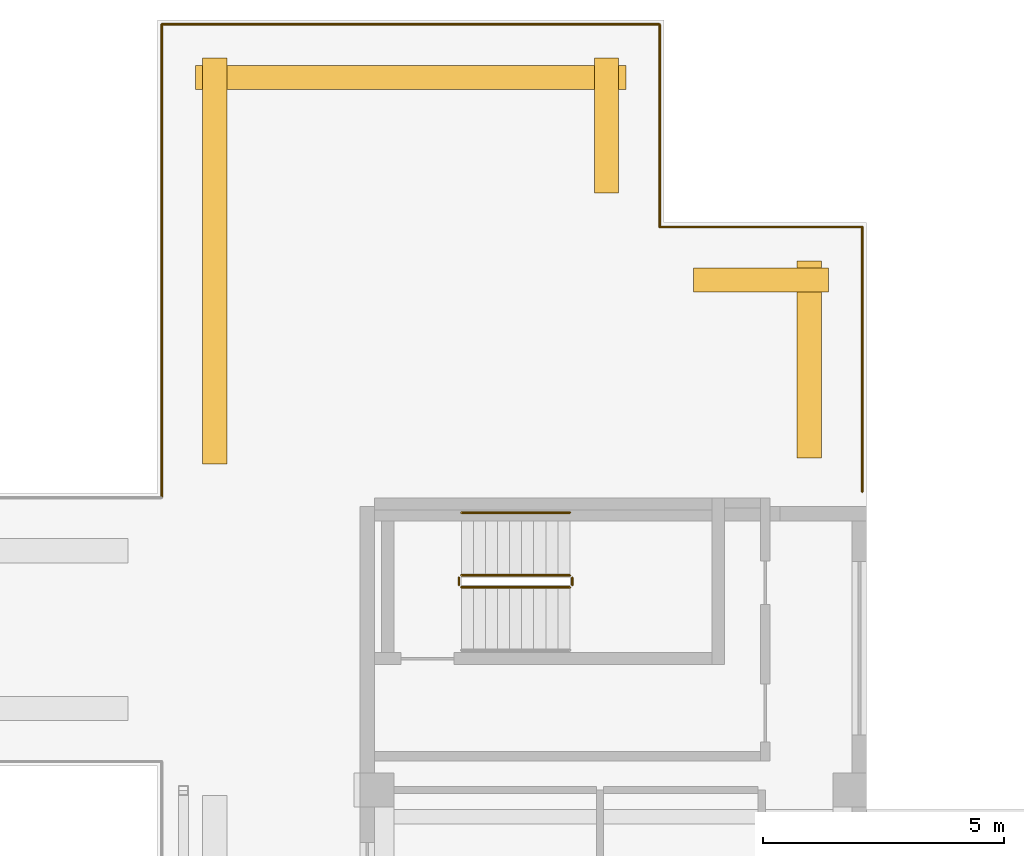
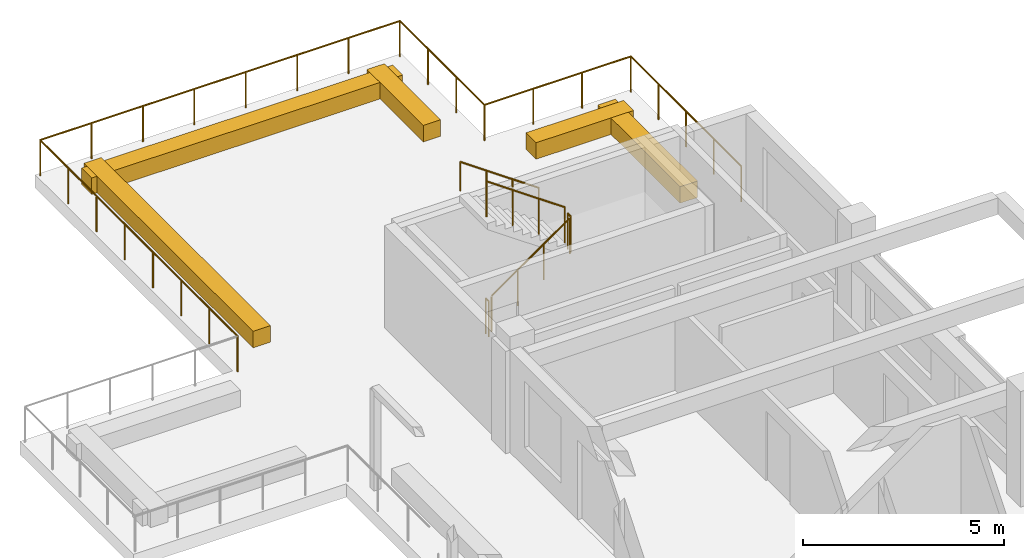
# One storey, part 12 of 12: 10 railings, 5 coverings.
"""IFC4 building model written with IfcOpenShell, lengths in metres."""

from ifc_helpers import new_model, si_unit, direction, frame, origin, origin_2d, place, context, subcontext, project, spatial, rectangle, circle, extrude, source, transform, mapped, material, type_object, element, save


model = new_model("IFC4")

# Units and contexts
model_context = context("Model", 3, precision=1e-05, world=origin(), true_north=direction((0.0, 1.0)))
body_context = subcontext(model_context, "Body", "Model", "MODEL_VIEW")
ifc_project = project(units=[si_unit("LENGTHUNIT", "METRE"), si_unit("AREAUNIT", "SQUARE_METRE"), si_unit("VOLUMEUNIT", "CUBIC_METRE"), si_unit("PLANEANGLEUNIT", "RADIAN"), si_unit("MASSUNIT", "GRAM", prefix="KILO")], contexts=[model_context])

# Site, building, storey
site_placement = place(None, origin())
site = spatial("IfcSite", under=ifc_project, at=site_placement, CompositionType="ELEMENT")
building_placement = place(site_placement, origin())
building = spatial("IfcBuilding", under=site, at=building_placement, Name="Aurelian Terraces", CompositionType="ELEMENT")
storey_placement = place(building_placement, frame((0.0, 0.0, 284.5)))
storey = spatial("IfcBuildingStorey", under=building, at=storey_placement, Name="L64", CompositionType="ELEMENT", Elevation=284.5)

# Railing
ifc_material_1 = material(Name="Anodised aluminium", Category="aluminium")
railing_type_1 = type_object("IfcRailingType", Name="GUARD-1100", PredefinedType="GUARDRAIL", material=ifc_material_1)
railing_1_placement = place(storey_placement, frame((6.39, 53.67, 0.0)))
element("IfcRailing", 1, at=railing_1_placement, inside=storey, type_object=railing_type_1, Name="Terrace guard L64 L64-X2.6", PredefinedType="GUARDRAIL", context=body_context, shape_type="SweptSolid", body=[
    extrude(circle(Radius=0.024, at=origin_2d()), frame((0.0, 0.0, 1.076), z_axis=(1.0, 0.0, 0.0), x_axis=(0.0, 1.0, 0.0)), (0.0, 0.0, 1.0), 10.32),
    extrude(circle(Radius=0.021, at=origin_2d()), origin(), (0.0, 0.0, 1.0), 1.052),
    extrude(circle(Radius=0.021, at=origin_2d()), frame((1.4743, 0.0, 0.0)), (0.0, 0.0, 1.0), 1.052),
    extrude(circle(Radius=0.021, at=origin_2d()), frame((2.9486, 0.0, 0.0)), (0.0, 0.0, 1.0), 1.052),
    extrude(circle(Radius=0.021, at=origin_2d()), frame((4.4229, 0.0, 0.0)), (0.0, 0.0, 1.0), 1.052),
    extrude(circle(Radius=0.021, at=origin_2d()), frame((5.8971, 0.0, 0.0)), (0.0, 0.0, 1.0), 1.052),
    extrude(circle(Radius=0.021, at=origin_2d()), frame((7.3714, 0.0, 0.0)), (0.0, 0.0, 1.0), 1.052),
    extrude(circle(Radius=0.021, at=origin_2d()), frame((8.8457, 0.0, 0.0)), (0.0, 0.0, 1.0), 1.052),
    extrude(circle(Radius=0.021, at=origin_2d()), frame((10.32, 0.0, 0.0)), (0.0, 0.0, 1.0), 1.052),
])

# Coverings
ifc_material_2 = material(Name="Terracotta planter with planting soil", Category="masonry")
covering_type = type_object("IfcCoveringType", Name="PLANTER-TROUGH", PredefinedType="USERDEFINED", material=ifc_material_2)
covering_1_placement = place(storey_placement, frame((7.49, 48.765, 0.0), z_axis=(0.0, 0.0, 1.0), x_axis=(1.0, 0.0, 0.0)))
element("IfcCovering", 2, at=covering_1_placement, inside=storey, type_object=covering_type, Name="PLANTER L64 terrace L64-X2-4.1", ObjectType="PLANTER", PredefinedType="USERDEFINED", context=body_context, shape_type="SweptSolid", body=[
    extrude(rectangle(XDim=0.5, YDim=8.41, at=origin_2d()), origin(), (0.0, 0.0, 1.0), 0.5),
])
covering_2_placement = place(storey_placement, frame((11.55, 52.57, 0.0), z_axis=(0.0, 0.0, 1.0), x_axis=(1.0, 0.0, 0.0)))
element("IfcCovering", 3, at=covering_2_placement, inside=storey, type_object=covering_type, Name="PLANTER L64 terrace L64-X2-5.1", ObjectType="PLANTER", PredefinedType="USERDEFINED", context=body_context, shape_type="SweptSolid", body=[
    extrude(rectangle(XDim=8.92, YDim=0.5, at=origin_2d()), origin(), (0.0, 0.0, 1.0), 0.5),
])
covering_3_placement = place(storey_placement, frame((15.61, 51.57, 0.0), z_axis=(0.0, 0.0, 1.0), x_axis=(1.0, 0.0, 0.0)))
element("IfcCovering", 4, at=covering_3_placement, inside=storey, type_object=covering_type, Name="PLANTER L64 terrace L64-X2-6.1", ObjectType="PLANTER", PredefinedType="USERDEFINED", context=body_context, shape_type="SweptSolid", body=[
    extrude(rectangle(XDim=0.5, YDim=2.8, at=origin_2d()), origin(), (0.0, 0.0, 1.0), 0.5),
])
covering_4_placement = place(storey_placement, frame((18.81, 48.37, 0.0), z_axis=(0.0, 0.0, 1.0), x_axis=(1.0, 0.0, 0.0)))
element("IfcCovering", 5, at=covering_4_placement, inside=storey, type_object=covering_type, Name="PLANTER L64 terrace L64-X2-7.1", ObjectType="PLANTER", PredefinedType="USERDEFINED", context=body_context, shape_type="SweptSolid", body=[
    extrude(rectangle(XDim=2.8, YDim=0.5, at=origin_2d()), origin(), (0.0, 0.0, 1.0), 0.5),
])

# Railings
ifc_material_3 = material(Name="Stainless steel", Category="steel")
railing_type_2 = type_object("IfcRailingType", Name="Stair guard 1100", PredefinedType="GUARDRAIL", material=ifc_material_3)
railing_2_placement = place(storey_placement, frame((12.6, 42.0, 0.175)))
element("IfcRailing", 6, at=railing_2_placement, inside=storey, type_object=railing_type_2, Name="L64 S3U stair guard 1", PredefinedType="GUARDRAIL", context=body_context, shape_type="SweptSolid", body=[
    extrude(circle(Radius=0.024, at=origin_2d()), frame((0.0, 0.0, 1.076), z_axis=(0.819231920519, 0.0, 0.573462344363), x_axis=(0.0, 1.0, 0.0)), (0.0, 0.0, 1.0), 2.7465),
    extrude(circle(Radius=0.021, at=origin_2d()), origin(), (0.0, 0.0, 1.0), 1.052),
    extrude(circle(Radius=0.021, at=origin_2d()), frame((0.75, 0.0, 0.525)), (0.0, 0.0, 1.0), 1.052),
    extrude(circle(Radius=0.021, at=origin_2d()), frame((1.5, 0.0, 1.05)), (0.0, 0.0, 1.0), 1.052),
    extrude(circle(Radius=0.021, at=origin_2d()), frame((2.25, 0.0, 1.575)), (0.0, 0.0, 1.0), 1.052),
])
railing_3_placement = place(storey_placement, frame((14.85, 42.25, 1.925)))
element("IfcRailing", 7, at=railing_3_placement, inside=storey, type_object=railing_type_2, Name="L64 S3U stair guard 3", PredefinedType="GUARDRAIL", context=body_context, shape_type="SweptSolid", body=[
    extrude(circle(Radius=0.024, at=origin_2d()), frame((0.0, 0.0, 1.076), z_axis=(-0.819231920519, 0.0, 0.573462344363), x_axis=(0.0, -1.0, 0.0)), (0.0, 0.0, 1.0), 2.7465),
    extrude(circle(Radius=0.021, at=origin_2d()), origin(), (0.0, 0.0, 1.0), 1.052),
    extrude(circle(Radius=0.021, at=origin_2d()), frame((-0.75, 0.0, 0.525)), (0.0, 0.0, 1.0), 1.052),
    extrude(circle(Radius=0.021, at=origin_2d()), frame((-1.5, 0.0, 1.05)), (0.0, 0.0, 1.0), 1.052),
    extrude(circle(Radius=0.021, at=origin_2d()), frame((-2.25, 0.0, 1.575)), (0.0, 0.0, 1.0), 1.052),
])
railing_type_3 = type_object("IfcRailingType", Name="Stair handrail", PredefinedType="HANDRAIL", material=ifc_material_3)
railing_4_placement = place(storey_placement, frame((14.85, 43.55, 1.925)))
element("IfcRailing", 8, at=railing_4_placement, inside=storey, type_object=railing_type_3, Name="L64 S3U stair handrail 2", PredefinedType="HANDRAIL", context=body_context, shape_type="SweptSolid", body=[
    extrude(circle(Radius=0.024, at=origin_2d()), frame((0.0, 0.0, 0.876), z_axis=(-0.819231920519, 0.0, 0.573462344363), x_axis=(0.0, -1.0, 0.0)), (0.0, 0.0, 1.0), 2.7465),
    extrude(circle(Radius=0.021, at=origin_2d()), origin(), (0.0, 0.0, 1.0), 0.852),
    extrude(circle(Radius=0.021, at=origin_2d()), frame((-0.75, 0.0, 0.525)), (0.0, 0.0, 1.0), 0.852),
    extrude(circle(Radius=0.021, at=origin_2d()), frame((-1.5, 0.0, 1.05)), (0.0, 0.0, 1.0), 0.852),
    extrude(circle(Radius=0.021, at=origin_2d()), frame((-2.25, 0.0, 1.575)), (0.0, 0.0, 1.0), 0.852),
])

# Covering
shared_shape_1 = source(origin(), body_context, "Body", "SweptSolid", [
    extrude(rectangle(XDim=0.5, YDim=4.09, at=origin_2d()), origin(), (0.0, 0.0, 1.0), 0.5),
])
covering_5_placement = place(storey_placement, frame((19.81, 46.725, 0.0), z_axis=(0.0, 0.0, 1.0), x_axis=(1.0, 0.0, 0.0)))
element("IfcCovering", 9, at=covering_5_placement, inside=storey, type_object=covering_type, Name="PLANTER L64 terrace L64-X2-8.1", ObjectType="PLANTER", PredefinedType="USERDEFINED", context=body_context, shape_type="MappedRepresentation", body=[
    mapped(shared_shape_1, transform((0.0, 0.0, 0.0), scale=1.0)),
])

# Railings
shared_shape_2 = source(origin(), body_context, "Body", "SweptSolid", [
    extrude(circle(Radius=0.024, at=origin_2d()), frame((0.0, 0.0, 1.076), z_axis=(0.0, -1.0, 0.0), x_axis=(1.0, 0.0, 0.0)), (0.0, 0.0, 1.0), 4.2),
    extrude(circle(Radius=0.021, at=origin_2d()), origin(), (0.0, 0.0, 1.0), 1.052),
    extrude(circle(Radius=0.021, at=origin_2d()), frame((0.0, -1.4, 0.0)), (0.0, 0.0, 1.0), 1.052),
    extrude(circle(Radius=0.021, at=origin_2d()), frame((0.0, -2.8, 0.0)), (0.0, 0.0, 1.0), 1.052),
    extrude(circle(Radius=0.021, at=origin_2d()), frame((0.0, -4.2, 0.0)), (0.0, 0.0, 1.0), 1.052),
])
railing_5_placement = place(storey_placement, frame((16.71, 53.67, 0.0)))
element("IfcRailing", 10, at=railing_5_placement, inside=storey, type_object=railing_type_1, Name="Terrace guard L64 L64-X2.7", PredefinedType="GUARDRAIL", context=body_context, shape_type="MappedRepresentation", body=[
    mapped(shared_shape_2, transform((0.0, 0.0, 0.0), scale=1.0)),
])
shared_shape_3 = source(origin(), body_context, "Body", "SweptSolid", [
    extrude(circle(Radius=0.024, at=origin_2d()), frame((0.0, 0.0, 1.076), z_axis=(1.0, 0.0, 0.0), x_axis=(0.0, 1.0, 0.0)), (0.0, 0.0, 1.0), 4.2),
    extrude(circle(Radius=0.021, at=origin_2d()), origin(), (0.0, 0.0, 1.0), 1.052),
    extrude(circle(Radius=0.021, at=origin_2d()), frame((1.4, 0.0, 0.0)), (0.0, 0.0, 1.0), 1.052),
    extrude(circle(Radius=0.021, at=origin_2d()), frame((2.8, 0.0, 0.0)), (0.0, 0.0, 1.0), 1.052),
    extrude(circle(Radius=0.021, at=origin_2d()), frame((4.2, 0.0, 0.0)), (0.0, 0.0, 1.0), 1.052),
])
railing_6_placement = place(storey_placement, frame((16.71, 49.47, 0.0)))
element("IfcRailing", 11, at=railing_6_placement, inside=storey, type_object=railing_type_1, Name="Terrace guard L64 L64-X2.8", PredefinedType="GUARDRAIL", context=body_context, shape_type="MappedRepresentation", body=[
    mapped(shared_shape_3, transform((0.0, 0.0, 0.0), scale=1.0)),
])
shared_shape_4 = source(origin(), body_context, "Body", "SweptSolid", [
    extrude(circle(Radius=0.024, at=origin_2d()), frame((0.0, 0.0, 1.076), z_axis=(0.0, 1.0, 0.0), x_axis=(-1.0, 0.0, 0.0)), (0.0, 0.0, 1.0), 9.81),
    extrude(circle(Radius=0.021, at=origin_2d()), origin(), (0.0, 0.0, 1.0), 1.052),
    extrude(circle(Radius=0.021, at=origin_2d()), frame((0.0, 1.4014, 0.0)), (0.0, 0.0, 1.0), 1.052),
    extrude(circle(Radius=0.021, at=origin_2d()), frame((0.0, 2.8029, 0.0)), (0.0, 0.0, 1.0), 1.052),
    extrude(circle(Radius=0.021, at=origin_2d()), frame((0.0, 4.2043, 0.0)), (0.0, 0.0, 1.0), 1.052),
    extrude(circle(Radius=0.021, at=origin_2d()), frame((0.0, 5.6057, 0.0)), (0.0, 0.0, 1.0), 1.052),
    extrude(circle(Radius=0.021, at=origin_2d()), frame((0.0, 7.0071, 0.0)), (0.0, 0.0, 1.0), 1.052),
    extrude(circle(Radius=0.021, at=origin_2d()), frame((0.0, 8.4086, 0.0)), (0.0, 0.0, 1.0), 1.052),
    extrude(circle(Radius=0.021, at=origin_2d()), frame((0.0, 9.81, 0.0)), (0.0, 0.0, 1.0), 1.052),
])
railing_7_placement = place(storey_placement, frame((6.39, 43.86, 0.0)))
element("IfcRailing", 12, at=railing_7_placement, inside=storey, type_object=railing_type_1, Name="Terrace guard L64 L64-X2.5", PredefinedType="GUARDRAIL", context=body_context, shape_type="MappedRepresentation", body=[
    mapped(shared_shape_4, transform((0.0, 0.0, 0.0), scale=1.0)),
])
shared_shape_5 = source(origin(), body_context, "Body", "SweptSolid", [
    extrude(circle(Radius=0.024, at=origin_2d()), frame((0.0, 0.0, 1.076), z_axis=(0.0, -1.0, 0.0), x_axis=(1.0, 0.0, 0.0)), (0.0, 0.0, 1.0), 5.49),
    extrude(circle(Radius=0.021, at=origin_2d()), origin(), (0.0, 0.0, 1.0), 1.052),
    extrude(circle(Radius=0.021, at=origin_2d()), frame((0.0, -1.3725, 0.0)), (0.0, 0.0, 1.0), 1.052),
    extrude(circle(Radius=0.021, at=origin_2d()), frame((0.0, -2.745, 0.0)), (0.0, 0.0, 1.0), 1.052),
    extrude(circle(Radius=0.021, at=origin_2d()), frame((0.0, -4.1175, 0.0)), (0.0, 0.0, 1.0), 1.052),
    extrude(circle(Radius=0.021, at=origin_2d()), frame((0.0, -5.49, 0.0)), (0.0, 0.0, 1.0), 1.052),
])
railing_8_placement = place(storey_placement, frame((20.91, 49.47, 0.0)))
element("IfcRailing", 13, at=railing_8_placement, inside=storey, type_object=railing_type_1, Name="Terrace guard L64 L64-X2.9", PredefinedType="GUARDRAIL", context=body_context, shape_type="MappedRepresentation", body=[
    mapped(shared_shape_5, transform((0.0, 0.0, 0.0), scale=1.0)),
])
shared_shape_6 = source(origin(), body_context, "Body", "SweptSolid", [
    extrude(circle(Radius=0.024, at=origin_2d()), frame((0.0, 0.0, 1.076), z_axis=(0.0, 1.0, 0.0), x_axis=(-1.0, 0.0, 0.0)), (0.0, 0.0, 1.0), 0.15),
    extrude(circle(Radius=0.021, at=origin_2d()), origin(), (0.0, 0.0, 1.0), 1.052),
    extrude(circle(Radius=0.021, at=origin_2d()), frame((0.0, 0.15, 0.0)), (0.0, 0.0, 1.0), 1.052),
])
for number, where, name in (
    (14, (14.9, 42.05, 1.75), "L64 S3U stair guard 2"),
    (15, (12.55, 42.05, 0.0), "L64 S3U stair guard 4"),
):
    element("IfcRailing", number, at=place(storey_placement, frame(where)), inside=storey, type_object=railing_type_2, Name=name, PredefinedType="GUARDRAIL", context=body_context, shape_type="MappedRepresentation", body=[
        mapped(shared_shape_6, transform((0.0, 0.0, 0.0), scale=1.0)),
    ])

save(model, "model.ifc")
